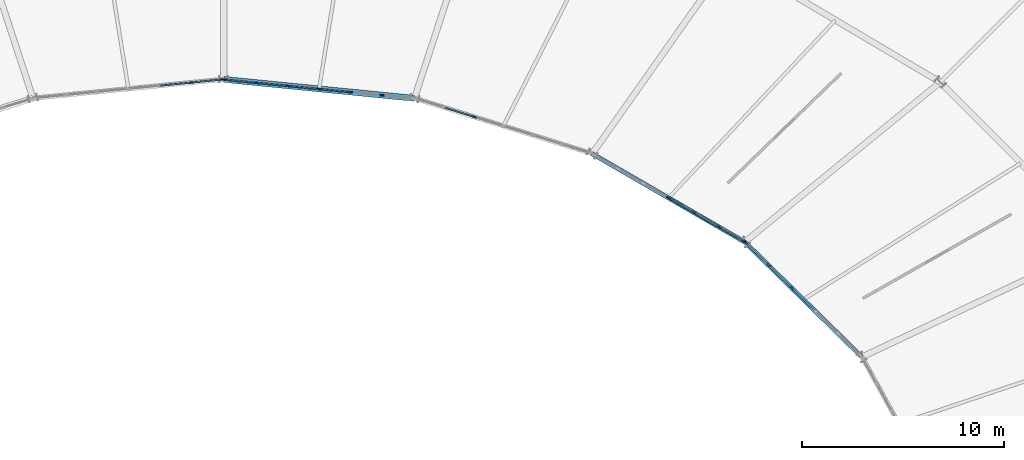
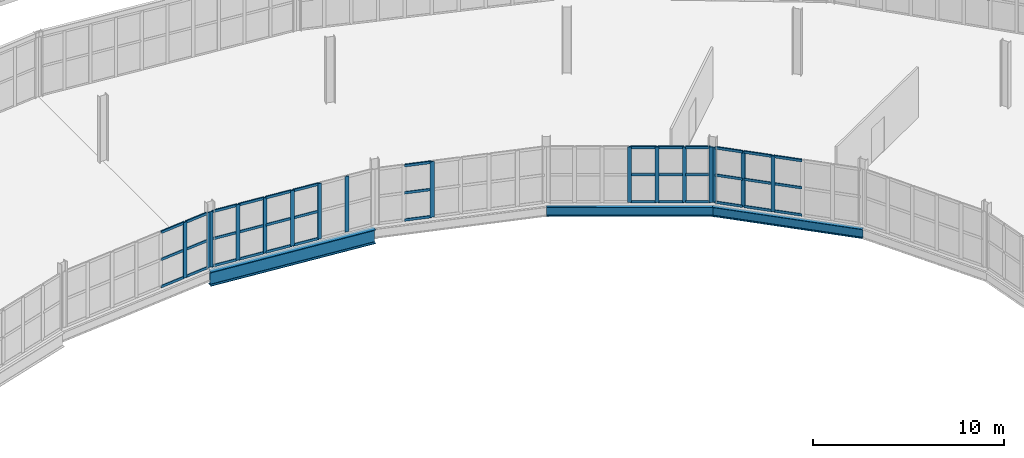
# One storey, part 68 of 161: 55 members, 3 beams, 5 elements without a shape of their own.
"""IFC4 building model written with IfcOpenShell, lengths in metres."""

from ifc_helpers import new_model, si_unit, direction, frame, origin, origin_2d, place, context, subcontext, project, spatial, rectangle, i_section, extrude, material, material_profile, profile_set, type_object, element, aggregate, save


model = new_model("IFC4")

# Units and contexts
model_context = context("Model", 3, precision=1e-05, world=origin(), true_north=direction((0.0, 1.0)))
body_context = subcontext(model_context, "Body", "Model", "MODEL_VIEW")
ifc_project = project(units=[si_unit("LENGTHUNIT", "METRE"), si_unit("AREAUNIT", "SQUARE_METRE"), si_unit("VOLUMEUNIT", "CUBIC_METRE"), si_unit("PLANEANGLEUNIT", "RADIAN"), si_unit("MASSUNIT", "GRAM", prefix="KILO")], contexts=[model_context])

# Site, building, storey
site_placement = place(None, origin())
site = spatial("IfcSite", under=ifc_project, at=site_placement, CompositionType="ELEMENT")
building_placement = place(site_placement, origin())
building = spatial("IfcBuilding", under=site, at=building_placement, Name="Kildeholm Park Wholesale Market", CompositionType="ELEMENT")
storey_placement = place(building_placement, frame((0.0, 0.0, 5.39990234375)))
storey = spatial("IfcBuildingStorey", under=building, at=storey_placement, Name="L01", CompositionType="ELEMENT", Elevation=5.39990234375)

# Beams
ifc_material_1 = material(Name="Steel S355", Category="steel")
ifc_material_profile_1 = material_profile(ifc_material_1, i_section(OverallWidth=0.300048828125, OverallDepth=0.89990234375, WebThickness=0.0185546875, FlangeThickness=0.034912109375, FilletRadius=0.030029296875, at=origin_2d()), Name="HEB 900")
ifc_profile_set_1 = profile_set([ifc_material_profile_1], Name="Steel S355")
beam_type_1 = type_object("IfcBeamType", Name="Beam B-G03 HEB 900", PredefinedType="BEAM", material=ifc_profile_set_1)
beam_1_placement = place(storey_placement, frame((108.447021484375, 116.06298828125, -0.699951171875), z_axis=(-0.995117073258, 0.098701623651, 0.0), x_axis=(-0.098701623651, -0.995117073258, 0.0)))
element("IfcBeam", 1, at=beam_1_placement, inside=storey, type_object=beam_type_1, Name="Beam BM-V1-L01-CI-05 BM-0050", PredefinedType="BEAM", context=body_context, shape_type="SweptSolid", body=[
    extrude(i_section(OverallWidth=0.300048828125, OverallDepth=0.89990234375, WebThickness=0.0185546875, FlangeThickness=0.034912109375, FilletRadius=0.030029296875, at=origin_2d()), origin(), (0.0, 0.0, 1.0), 9.493408203125),
])
ifc_material_profile_2 = material_profile(ifc_material_1, i_section(OverallWidth=0.219970703125, OverallDepth=0.60009765625, WebThickness=0.011962890625, FlangeThickness=0.01904296875, FilletRadius=0.02392578125, at=origin_2d()), Name="IPE 600")
ifc_profile_set_2 = profile_set([ifc_material_profile_2], Name="Steel S355")
beam_type_2 = type_object("IfcBeamType", Name="Beam B-P04 IPE 600", PredefinedType="BEAM", material=ifc_profile_set_2)
beam_2_placement = place(storey_placement, frame((130.610107421875, 103.25, -0.5498046875), z_axis=(-0.713593723838, 0.700559774251, 0.0), x_axis=(-0.700559774251, -0.713593723838, 0.0)))
element("IfcBeam", 2, at=beam_2_placement, inside=storey, type_object=beam_type_2, Name="Beam BM-V1-L01-CI-02 BM-0021", PredefinedType="BEAM", context=body_context, shape_type="SweptSolid", body=[
    extrude(i_section(OverallWidth=0.219970703125, OverallDepth=0.60009765625, WebThickness=0.011962890625, FlangeThickness=0.01904296875, FilletRadius=0.02392578125, at=origin_2d()), origin(), (0.0, 0.0, 1.0), 8.12939453125),
])
beam_3_placement = place(storey_placement, frame((124.80908203125, 108.945068359375, -0.5498046875), z_axis=(-0.865697347457, 0.500567780231, 0.0), x_axis=(-0.500567780231, -0.865697347457, 0.0)))
element("IfcBeam", 3, at=beam_3_placement, inside=storey, type_object=beam_type_2, Name="Beam BM-V1-L01-CI-03 BM-0031", PredefinedType="BEAM", context=body_context, shape_type="SweptSolid", body=[
    extrude(i_section(OverallWidth=0.219970703125, OverallDepth=0.60009765625, WebThickness=0.011962890625, FlangeThickness=0.01904296875, FilletRadius=0.02392578125, at=origin_2d()), origin(), (0.0, 0.0, 1.0), 8.731689453125),
])

# Curtain wall, members
ifc_material_2 = material(Name="Anodised aluminium and low-E double-glazed glass", Category="aluminium")
curtain_wall_type = type_object("IfcCurtainWallType", Name="Market hall glazed arcade stick curtain wall CW-01", PredefinedType="NOTDEFINED", material=ifc_material_2)
curtain_wall_1_placement = place(storey_placement, origin())
curtain_wall_1 = element("IfcCurtainWall", 4, at=curtain_wall_1_placement, inside=storey, type_object=curtain_wall_type, Name="Curtain wall CW-V1-IN1-02 CW-0014", PredefinedType="NOTDEFINED")
ifc_material_3 = material(Name="Anodised aluminium", Category="aluminium")
ifc_material_profile_3 = material_profile(ifc_material_3, rectangle(XDim=0.074951171875, YDim=0.219970703125, at=origin_2d()), Name="CWM 75x220")
ifc_profile_set_3 = profile_set([ifc_material_profile_3], Name="Anodised aluminium")
member_type_1 = type_object("IfcMemberType", Name="Curtain-wall mullion CWM-2 CWM 75x220", PredefinedType="MULLION", material=ifc_profile_set_3)
member_1_placement = place(storey_placement, frame((127.14013671875, 106.664306640625, 0.0), z_axis=(0.0, 0.0, 1.0), x_axis=(-0.700616534607, -0.713537995789, 0.0)))
member_1 = element("IfcMember", 5, at=member_1_placement, type_object=member_type_1, Name="CW-01 mullion 4 MEM-0734", PredefinedType="MULLION", context=body_context, shape_type="SweptSolid", body=[
    extrude(rectangle(XDim=0.074951171875, YDim=0.219970703125, at=origin_2d()), origin(), (0.0, 0.0, 1.0), 3.550048828125),
])
member_2_placement = place(storey_placement, frame((125.99169921875, 107.792236328125, 0.0), z_axis=(0.0, 0.0, 1.0), x_axis=(-0.700616534607, -0.713537995789, 0.0)))
member_2 = element("IfcMember", 6, at=member_2_placement, type_object=member_type_1, Name="CW-01 mullion 5 MEM-0735", PredefinedType="MULLION", context=body_context, shape_type="SweptSolid", body=[
    extrude(rectangle(XDim=0.074951171875, YDim=0.219970703125, at=origin_2d()), origin(), (0.0, 0.0, 1.0), 3.550048828125),
])
member_3_placement = place(storey_placement, frame((124.869873046875, 108.893798828125, 0.0), z_axis=(0.0, 0.0, 1.0), x_axis=(-0.700616534607, -0.713537995789, 0.0)))
member_3 = element("IfcMember", 7, at=member_3_placement, type_object=member_type_1, Name="CW-01 mullion 6 MEM-0736", PredefinedType="MULLION", context=body_context, shape_type="SweptSolid", body=[
    extrude(rectangle(XDim=0.074951171875, YDim=0.219970703125, at=origin_2d()), origin(), (0.0, 0.0, 1.0), 3.550048828125),
])

curtain_wall_2_placement = place(storey_placement, origin())
curtain_wall_2 = element("IfcCurtainWall", 8, at=curtain_wall_2_placement, inside=storey, type_object=curtain_wall_type, Name="Curtain wall CW-V1-IN1-03 CW-0019", PredefinedType="NOTDEFINED")
member_4_placement = place(storey_placement, frame((124.74560546875, 108.98779296875, 0.0), z_axis=(0.0, 0.0, 1.0), x_axis=(-0.500489412982, -0.865742656621, 0.0)))
member_4 = element("IfcMember", 9, at=member_4_placement, type_object=member_type_1, Name="CW-01 mullion 1 MEM-0868", PredefinedType="MULLION", context=body_context, shape_type="SweptSolid", body=[
    extrude(rectangle(XDim=0.074951171875, YDim=0.219970703125, at=origin_2d()), origin(), (0.0, 0.0, 1.0), 3.550048828125),
])
member_5_placement = place(storey_placement, frame((123.52978515625, 109.690673828125, 0.0), z_axis=(0.0, 0.0, 1.0), x_axis=(-0.500489412982, -0.865742656621, 0.0)))
member_5 = element("IfcMember", 10, at=member_5_placement, type_object=member_type_1, Name="CW-01 mullion 2 MEM-0869", PredefinedType="MULLION", context=body_context, shape_type="SweptSolid", body=[
    extrude(rectangle(XDim=0.074951171875, YDim=0.219970703125, at=origin_2d()), origin(), (0.0, 0.0, 1.0), 3.550048828125),
])
member_6_placement = place(storey_placement, frame((122.28125, 110.412353515625, 0.0), z_axis=(0.0, 0.0, 1.0), x_axis=(-0.500489412982, -0.865742656621, 0.0)))
member_6 = element("IfcMember", 11, at=member_6_placement, type_object=member_type_1, Name="CW-01 mullion 3 MEM-0870", PredefinedType="MULLION", context=body_context, shape_type="SweptSolid", body=[
    extrude(rectangle(XDim=0.074951171875, YDim=0.219970703125, at=origin_2d()), origin(), (0.0, 0.0, 1.0), 3.550048828125),
])
member_7_placement = place(storey_placement, frame((121.032958984375, 111.134033203125, 0.0), z_axis=(0.0, 0.0, 1.0), x_axis=(-0.500489412982, -0.865742656621, 0.0)))
member_7 = element("IfcMember", 12, at=member_7_placement, type_object=member_type_1, Name="CW-01 mullion 4 MEM-0871", PredefinedType="MULLION", context=body_context, shape_type="SweptSolid", body=[
    extrude(rectangle(XDim=0.074951171875, YDim=0.219970703125, at=origin_2d()), origin(), (0.0, 0.0, 1.0), 3.550048828125),
])

# Curtain wall, member
curtain_wall_3_placement = place(storey_placement, origin())
curtain_wall_3 = element("IfcCurtainWall", 13, at=curtain_wall_3_placement, inside=storey, type_object=curtain_wall_type, Name="Curtain wall CW-V1-IN1-04 CW-0024", PredefinedType="NOTDEFINED")
member_8_placement = place(storey_placement, frame((111.39599609375, 115.14697265625, 0.0), z_axis=(0.0, 0.0, 1.0), x_axis=(-0.297957339818, -0.954579186683, 0.0)))
member_8 = element("IfcMember", 14, at=member_8_placement, type_object=member_type_1, Name="CW-01 mullion 5 MEM-1021", PredefinedType="MULLION", context=body_context, shape_type="SweptSolid", body=[
    extrude(rectangle(XDim=0.074951171875, YDim=0.219970703125, at=origin_2d()), origin(), (0.0, 0.0, 1.0), 3.550048828125),
])

# Curtain wall, members
curtain_wall_4_placement = place(storey_placement, origin())
curtain_wall_4 = element("IfcCurtainWall", 15, at=curtain_wall_4_placement, inside=storey, type_object=curtain_wall_type, Name="Curtain wall CW-V1-IN1-05 CW-0028", PredefinedType="NOTDEFINED")
member_9_placement = place(storey_placement, frame((106.8466796875, 116.225830078125, 0.0), z_axis=(0.0, 0.0, 1.0), x_axis=(-0.098683331174, -0.995118887444, 0.0)))
member_9 = element("IfcMember", 16, at=member_9_placement, type_object=member_type_1, Name="CW-01 mullion 2 MEM-1146", PredefinedType="MULLION", context=body_context, shape_type="SweptSolid", body=[
    extrude(rectangle(XDim=0.074951171875, YDim=0.219970703125, at=origin_2d()), origin(), (0.0, 0.0, 1.0), 3.550048828125),
])
member_10_placement = place(storey_placement, frame((105.285400390625, 116.380615234375, 0.0), z_axis=(0.0, 0.0, 1.0), x_axis=(-0.098683331174, -0.995118887444, 0.0)))
member_10 = element("IfcMember", 17, at=member_10_placement, type_object=member_type_1, Name="CW-01 mullion 3 MEM-1147", PredefinedType="MULLION", context=body_context, shape_type="SweptSolid", body=[
    extrude(rectangle(XDim=0.074951171875, YDim=0.219970703125, at=origin_2d()), origin(), (0.0, 0.0, 1.0), 3.550048828125),
])
member_11_placement = place(storey_placement, frame((103.72412109375, 116.535400390625, 0.0), z_axis=(0.0, 0.0, 1.0), x_axis=(-0.098683331174, -0.995118887444, 0.0)))
member_11 = element("IfcMember", 18, at=member_11_placement, type_object=member_type_1, Name="CW-01 mullion 4 MEM-1148", PredefinedType="MULLION", context=body_context, shape_type="SweptSolid", body=[
    extrude(rectangle(XDim=0.074951171875, YDim=0.219970703125, at=origin_2d()), origin(), (0.0, 0.0, 1.0), 3.550048828125),
])
member_12_placement = place(storey_placement, frame((102.16259765625, 116.6904296875, 0.0), z_axis=(0.0, 0.0, 1.0), x_axis=(-0.098683331174, -0.995118887444, 0.0)))
member_12 = element("IfcMember", 19, at=member_12_placement, type_object=member_type_1, Name="CW-01 mullion 5 MEM-1149", PredefinedType="MULLION", context=body_context, shape_type="SweptSolid", body=[
    extrude(rectangle(XDim=0.074951171875, YDim=0.219970703125, at=origin_2d()), origin(), (0.0, 0.0, 1.0), 3.550048828125),
])
member_13_placement = place(storey_placement, frame((100.601318359375, 116.84521484375, 0.0), z_axis=(0.0, 0.0, 1.0), x_axis=(-0.098683331174, -0.995118887444, 0.0)))
member_13 = element("IfcMember", 20, at=member_13_placement, type_object=member_type_1, Name="CW-01 mullion 6 MEM-1150", PredefinedType="MULLION", context=body_context, shape_type="SweptSolid", body=[
    extrude(rectangle(XDim=0.074951171875, YDim=0.219970703125, at=origin_2d()), origin(), (0.0, 0.0, 1.0), 3.550048828125),
])
member_14_placement = place(storey_placement, frame((99.077392578125, 116.996337890625, 0.0), z_axis=(0.0, 0.0, 1.0), x_axis=(-0.098683331174, -0.995118887444, 0.0)))
member_14 = element("IfcMember", 21, at=member_14_placement, type_object=member_type_1, Name="CW-01 mullion 7 MEM-1151", PredefinedType="MULLION", context=body_context, shape_type="SweptSolid", body=[
    extrude(rectangle(XDim=0.074951171875, YDim=0.219970703125, at=origin_2d()), origin(), (0.0, 0.0, 1.0), 3.550048828125),
])

curtain_wall_5_placement = place(storey_placement, origin())
curtain_wall_5 = element("IfcCurtainWall", 22, at=curtain_wall_5_placement, inside=storey, type_object=curtain_wall_type, Name="Curtain wall CW-V1-IN1-06 CW-0033", PredefinedType="NOTDEFINED")
member_15_placement = place(storey_placement, frame((98.922607421875, 116.996337890625, 0.0), z_axis=(0.0, 0.0, 1.0), x_axis=(0.098683331174, -0.995118887444, 0.0)))
member_15 = element("IfcMember", 23, at=member_15_placement, type_object=member_type_1, Name="CW-01 mullion 1 MEM-1298", PredefinedType="MULLION", context=body_context, shape_type="SweptSolid", body=[
    extrude(rectangle(XDim=0.074951171875, YDim=0.219970703125, at=origin_2d()), origin(), (0.0, 0.0, 1.0), 3.550048828125),
])
member_16_placement = place(storey_placement, frame((97.398681640625, 116.84521484375, 0.0), z_axis=(0.0, 0.0, 1.0), x_axis=(0.098683331174, -0.995118887444, 0.0)))
member_16 = element("IfcMember", 24, at=member_16_placement, type_object=member_type_1, Name="CW-01 mullion 2 MEM-1299", PredefinedType="MULLION", context=body_context, shape_type="SweptSolid", body=[
    extrude(rectangle(XDim=0.074951171875, YDim=0.219970703125, at=origin_2d()), origin(), (0.0, 0.0, 1.0), 3.550048828125),
])

# Member
ifc_material_profile_4 = material_profile(ifc_material_3, rectangle(XDim=0.074951171875, YDim=0.159912109375, at=origin_2d()), Name="CWT 75x160")
ifc_profile_set_4 = profile_set([ifc_material_profile_4], Name="Anodised aluminium")
member_type_2 = type_object("IfcMemberType", Name="Curtain-wall transom CWT-2 CWT 75x160", PredefinedType="USERDEFINED", material=ifc_profile_set_4)
member_17_placement = place(storey_placement, frame((128.261962890625, 105.56298828125, 0.03759765625), z_axis=(-0.713520588004, 0.700634263003, 0.0), x_axis=(-0.700634263003, -0.713520588004, 0.0)))
member_17 = element("IfcMember", 25, at=member_17_placement, type_object=member_type_2, Name="CW-01 transom 3.1 MEM-0743", ObjectType="TRANSOM", PredefinedType="USERDEFINED", context=body_context, shape_type="SweptSolid", body=[
    extrude(rectangle(XDim=0.074951171875, YDim=0.159912109375, at=origin_2d()), origin(), (0.0, 0.0, 1.0), 1.53466796875),
])

member_18_placement = place(storey_placement, frame((128.261962890625, 105.56298828125, 1.775146484375), z_axis=(-0.713520588004, 0.700634263003, 0.0), x_axis=(-0.700634263003, -0.713520588004, 0.0)))
member_18 = element("IfcMember", 26, at=member_18_placement, type_object=member_type_2, Name="CW-01 transom 3.2 MEM-0744", ObjectType="TRANSOM", PredefinedType="USERDEFINED", context=body_context, shape_type="SweptSolid", body=[
    extrude(rectangle(XDim=0.074951171875, YDim=0.159912109375, at=origin_2d()), origin(), (0.0, 0.0, 1.0), 1.53466796875),
])

member_19_placement = place(storey_placement, frame((128.261962890625, 105.56298828125, 3.5126953125), z_axis=(-0.713520588004, 0.700634263003, 0.0), x_axis=(-0.700634263003, -0.713520588004, 0.0)))
member_19 = element("IfcMember", 27, at=member_19_placement, type_object=member_type_2, Name="CW-01 transom 3.3 MEM-0745", ObjectType="TRANSOM", PredefinedType="USERDEFINED", context=body_context, shape_type="SweptSolid", body=[
    extrude(rectangle(XDim=0.074951171875, YDim=0.159912109375, at=origin_2d()), origin(), (0.0, 0.0, 1.0), 1.53466796875),
])

member_20_placement = place(storey_placement, frame((127.113525390625, 106.690673828125, 0.03759765625), z_axis=(-0.713598670351, 0.700554735672, 0.0), x_axis=(-0.700554735672, -0.713598670351, 0.0)))
member_20 = element("IfcMember", 28, at=member_20_placement, type_object=member_type_2, Name="CW-01 transom 4.1 MEM-0746", ObjectType="TRANSOM", PredefinedType="USERDEFINED", context=body_context, shape_type="SweptSolid", body=[
    extrude(rectangle(XDim=0.074951171875, YDim=0.159912109375, at=origin_2d()), origin(), (0.0, 0.0, 1.0), 1.53466796875),
])

member_21_placement = place(storey_placement, frame((127.113525390625, 106.690673828125, 1.775146484375), z_axis=(-0.713598670351, 0.700554735672, 0.0), x_axis=(-0.700554735672, -0.713598670351, 0.0)))
member_21 = element("IfcMember", 29, at=member_21_placement, type_object=member_type_2, Name="CW-01 transom 4.2 MEM-0747", ObjectType="TRANSOM", PredefinedType="USERDEFINED", context=body_context, shape_type="SweptSolid", body=[
    extrude(rectangle(XDim=0.074951171875, YDim=0.159912109375, at=origin_2d()), origin(), (0.0, 0.0, 1.0), 1.53466796875),
])

member_22_placement = place(storey_placement, frame((127.113525390625, 106.690673828125, 3.5126953125), z_axis=(-0.713598670351, 0.700554735672, 0.0), x_axis=(-0.700554735672, -0.713598670351, 0.0)))
member_22 = element("IfcMember", 30, at=member_22_placement, type_object=member_type_2, Name="CW-01 transom 4.3 MEM-0748", ObjectType="TRANSOM", PredefinedType="USERDEFINED", context=body_context, shape_type="SweptSolid", body=[
    extrude(rectangle(XDim=0.074951171875, YDim=0.159912109375, at=origin_2d()), origin(), (0.0, 0.0, 1.0), 1.53466796875),
])

member_23_placement = place(storey_placement, frame((125.96484375, 107.818359375, 0.03759765625), z_axis=(-0.713518025391, 0.700636872739, 0.0), x_axis=(-0.700636872739, -0.713518025391, 0.0)))
member_23 = element("IfcMember", 31, at=member_23_placement, type_object=member_type_2, Name="CW-01 transom 5.1 MEM-0749", ObjectType="TRANSOM", PredefinedType="USERDEFINED", context=body_context, shape_type="SweptSolid", body=[
    extrude(rectangle(XDim=0.074951171875, YDim=0.159912109375, at=origin_2d()), origin(), (0.0, 0.0, 1.0), 1.497314453125),
])

member_24_placement = place(storey_placement, frame((125.96484375, 107.818359375, 1.775146484375), z_axis=(-0.713518025391, 0.700636872739, 0.0), x_axis=(-0.700636872739, -0.713518025391, 0.0)))
member_24 = element("IfcMember", 32, at=member_24_placement, type_object=member_type_2, Name="CW-01 transom 5.2 MEM-0750", ObjectType="TRANSOM", PredefinedType="USERDEFINED", context=body_context, shape_type="SweptSolid", body=[
    extrude(rectangle(XDim=0.074951171875, YDim=0.159912109375, at=origin_2d()), origin(), (0.0, 0.0, 1.0), 1.497314453125),
])

member_25_placement = place(storey_placement, frame((125.96484375, 107.818359375, 3.5126953125), z_axis=(-0.713518025391, 0.700636872739, 0.0), x_axis=(-0.700636872739, -0.713518025391, 0.0)))
member_25 = element("IfcMember", 33, at=member_25_placement, type_object=member_type_2, Name="CW-01 transom 5.3 MEM-0751", ObjectType="TRANSOM", PredefinedType="USERDEFINED", context=body_context, shape_type="SweptSolid", body=[
    extrude(rectangle(XDim=0.074951171875, YDim=0.159912109375, at=origin_2d()), origin(), (0.0, 0.0, 1.0), 1.497314453125),
])

aggregate(curtain_wall_1, [member_1, member_2, member_3, member_17, member_18, member_19, member_20, member_21, member_22, member_23, member_24, member_25])

member_26_placement = place(storey_placement, frame((124.713134765625, 109.006591796875, 0.03759765625), z_axis=(-0.865803200302, 0.500384670376, 0.0), x_axis=(-0.500384670376, -0.865803200302, 0.0)))
member_26 = element("IfcMember", 34, at=member_26_placement, type_object=member_type_2, Name="CW-01 transom 1.1 MEM-0875", ObjectType="TRANSOM", PredefinedType="USERDEFINED", context=body_context, shape_type="SweptSolid", body=[
    extrude(rectangle(XDim=0.074951171875, YDim=0.159912109375, at=origin_2d()), origin(), (0.0, 0.0, 1.0), 1.32958984375),
])

member_27_placement = place(storey_placement, frame((124.713134765625, 109.006591796875, 1.775146484375), z_axis=(-0.865803200302, 0.500384670376, 0.0), x_axis=(-0.500384670376, -0.865803200302, 0.0)))
member_27 = element("IfcMember", 35, at=member_27_placement, type_object=member_type_2, Name="CW-01 transom 1.2 MEM-0876", ObjectType="TRANSOM", PredefinedType="USERDEFINED", context=body_context, shape_type="SweptSolid", body=[
    extrude(rectangle(XDim=0.074951171875, YDim=0.159912109375, at=origin_2d()), origin(), (0.0, 0.0, 1.0), 1.32958984375),
])

member_28_placement = place(storey_placement, frame((124.713134765625, 109.006591796875, 3.5126953125), z_axis=(-0.865803200302, 0.500384670376, 0.0), x_axis=(-0.500384670376, -0.865803200302, 0.0)))
member_28 = element("IfcMember", 36, at=member_28_placement, type_object=member_type_2, Name="CW-01 transom 1.3 MEM-0877", ObjectType="TRANSOM", PredefinedType="USERDEFINED", context=body_context, shape_type="SweptSolid", body=[
    extrude(rectangle(XDim=0.074951171875, YDim=0.159912109375, at=origin_2d()), origin(), (0.0, 0.0, 1.0), 1.32958984375),
])

member_29_placement = place(storey_placement, frame((123.497314453125, 109.70947265625, 0.03759765625), z_axis=(-0.865792862191, 0.500402557727, 0.0), x_axis=(-0.500402557727, -0.865792862191, 0.0)))
member_29 = element("IfcMember", 37, at=member_29_placement, type_object=member_type_2, Name="CW-01 transom 2.1 MEM-0878", ObjectType="TRANSOM", PredefinedType="USERDEFINED", context=body_context, shape_type="SweptSolid", body=[
    extrude(rectangle(XDim=0.074951171875, YDim=0.159912109375, at=origin_2d()), origin(), (0.0, 0.0, 1.0), 1.366943359375),
])

member_30_placement = place(storey_placement, frame((123.497314453125, 109.70947265625, 1.775146484375), z_axis=(-0.865792862191, 0.500402557727, 0.0), x_axis=(-0.500402557727, -0.865792862191, 0.0)))
member_30 = element("IfcMember", 38, at=member_30_placement, type_object=member_type_2, Name="CW-01 transom 2.2 MEM-0879", ObjectType="TRANSOM", PredefinedType="USERDEFINED", context=body_context, shape_type="SweptSolid", body=[
    extrude(rectangle(XDim=0.074951171875, YDim=0.159912109375, at=origin_2d()), origin(), (0.0, 0.0, 1.0), 1.366943359375),
])

member_31_placement = place(storey_placement, frame((123.497314453125, 109.70947265625, 3.5126953125), z_axis=(-0.865792862191, 0.500402557727, 0.0), x_axis=(-0.500402557727, -0.865792862191, 0.0)))
member_31 = element("IfcMember", 39, at=member_31_placement, type_object=member_type_2, Name="CW-01 transom 2.3 MEM-0880", ObjectType="TRANSOM", PredefinedType="USERDEFINED", context=body_context, shape_type="SweptSolid", body=[
    extrude(rectangle(XDim=0.074951171875, YDim=0.159912109375, at=origin_2d()), origin(), (0.0, 0.0, 1.0), 1.366943359375),
])

member_32_placement = place(storey_placement, frame((122.248779296875, 110.43115234375, 0.03759765625), z_axis=(-0.865748132987, 0.500479939887, 0.0), x_axis=(-0.500479939887, -0.865748132987, 0.0)))
member_32 = element("IfcMember", 40, at=member_32_placement, type_object=member_type_2, Name="CW-01 transom 3.1 MEM-0881", ObjectType="TRANSOM", PredefinedType="USERDEFINED", context=body_context, shape_type="SweptSolid", body=[
    extrude(rectangle(XDim=0.074951171875, YDim=0.159912109375, at=origin_2d()), origin(), (0.0, 0.0, 1.0), 1.366943359375),
])

member_33_placement = place(storey_placement, frame((122.248779296875, 110.43115234375, 1.775146484375), z_axis=(-0.865748132987, 0.500479939887, 0.0), x_axis=(-0.500479939887, -0.865748132987, 0.0)))
member_33 = element("IfcMember", 41, at=member_33_placement, type_object=member_type_2, Name="CW-01 transom 3.2 MEM-0882", ObjectType="TRANSOM", PredefinedType="USERDEFINED", context=body_context, shape_type="SweptSolid", body=[
    extrude(rectangle(XDim=0.074951171875, YDim=0.159912109375, at=origin_2d()), origin(), (0.0, 0.0, 1.0), 1.366943359375),
])

member_34_placement = place(storey_placement, frame((122.248779296875, 110.43115234375, 3.5126953125), z_axis=(-0.865748132987, 0.500479939887, 0.0), x_axis=(-0.500479939887, -0.865748132987, 0.0)))
member_34 = element("IfcMember", 42, at=member_34_placement, type_object=member_type_2, Name="CW-01 transom 3.3 MEM-0883", ObjectType="TRANSOM", PredefinedType="USERDEFINED", context=body_context, shape_type="SweptSolid", body=[
    extrude(rectangle(XDim=0.074951171875, YDim=0.159912109375, at=origin_2d()), origin(), (0.0, 0.0, 1.0), 1.366943359375),
])

aggregate(curtain_wall_2, [member_4, member_5, member_6, member_7, member_26, member_27, member_28, member_29, member_30, member_31, member_32, member_33, member_34])

member_35_placement = place(storey_placement, frame((111.360107421875, 115.158203125, 0.03759765625), z_axis=(-0.954575890989, 0.297967898176, 0.0), x_axis=(-0.297967898176, -0.954575890989, 0.0)))
member_35 = element("IfcMember", 43, at=member_35_placement, type_object=member_type_2, Name="CW-01 transom 5.1 MEM-1036", ObjectType="TRANSOM", PredefinedType="USERDEFINED", context=body_context, shape_type="SweptSolid", body=[
    extrude(rectangle(XDim=0.074951171875, YDim=0.159912109375, at=origin_2d()), origin(), (0.0, 0.0, 1.0), 1.44873046875),
])

member_36_placement = place(storey_placement, frame((111.360107421875, 115.158203125, 1.775146484375), z_axis=(-0.954575890989, 0.297967898176, 0.0), x_axis=(-0.297967898176, -0.954575890989, 0.0)))
member_36 = element("IfcMember", 44, at=member_36_placement, type_object=member_type_2, Name="CW-01 transom 5.2 MEM-1037", ObjectType="TRANSOM", PredefinedType="USERDEFINED", context=body_context, shape_type="SweptSolid", body=[
    extrude(rectangle(XDim=0.074951171875, YDim=0.159912109375, at=origin_2d()), origin(), (0.0, 0.0, 1.0), 1.44873046875),
])

member_37_placement = place(storey_placement, frame((111.360107421875, 115.158203125, 3.5126953125), z_axis=(-0.954575890989, 0.297967898176, 0.0), x_axis=(-0.297967898176, -0.954575890989, 0.0)))
member_37 = element("IfcMember", 45, at=member_37_placement, type_object=member_type_2, Name="CW-01 transom 5.3 MEM-1038", ObjectType="TRANSOM", PredefinedType="USERDEFINED", context=body_context, shape_type="SweptSolid", body=[
    extrude(rectangle(XDim=0.074951171875, YDim=0.159912109375, at=origin_2d()), origin(), (0.0, 0.0, 1.0), 1.44873046875),
])

aggregate(curtain_wall_3, [member_8, member_35, member_36, member_37])

member_38_placement = place(storey_placement, frame((105.248046875, 116.38427734375, 0.03759765625), z_axis=(-0.995117753447, 0.098694765695, 0.0), x_axis=(-0.098694765695, -0.995117753447, 0.0)))
member_38 = element("IfcMember", 46, at=member_38_placement, type_object=member_type_2, Name="CW-01 transom 3.1 MEM-1158", ObjectType="TRANSOM", PredefinedType="USERDEFINED", context=body_context, shape_type="SweptSolid", body=[
    extrude(rectangle(XDim=0.074951171875, YDim=0.159912109375, at=origin_2d()), origin(), (0.0, 0.0, 1.0), 1.494140625),
])

member_39_placement = place(storey_placement, frame((105.248046875, 116.38427734375, 1.775146484375), z_axis=(-0.995117753447, 0.098694765695, 0.0), x_axis=(-0.098694765695, -0.995117753447, 0.0)))
member_39 = element("IfcMember", 47, at=member_39_placement, type_object=member_type_2, Name="CW-01 transom 3.2 MEM-1159", ObjectType="TRANSOM", PredefinedType="USERDEFINED", context=body_context, shape_type="SweptSolid", body=[
    extrude(rectangle(XDim=0.074951171875, YDim=0.159912109375, at=origin_2d()), origin(), (0.0, 0.0, 1.0), 1.494140625),
])

member_40_placement = place(storey_placement, frame((105.248046875, 116.38427734375, 3.5126953125), z_axis=(-0.995117753447, 0.098694765695, 0.0), x_axis=(-0.098694765695, -0.995117753447, 0.0)))
member_40 = element("IfcMember", 48, at=member_40_placement, type_object=member_type_2, Name="CW-01 transom 3.3 MEM-1160", ObjectType="TRANSOM", PredefinedType="USERDEFINED", context=body_context, shape_type="SweptSolid", body=[
    extrude(rectangle(XDim=0.074951171875, YDim=0.159912109375, at=origin_2d()), origin(), (0.0, 0.0, 1.0), 1.494140625),
])

member_41_placement = place(storey_placement, frame((103.686767578125, 116.539306640625, 0.03759765625), z_axis=(-0.995133788729, 0.098532951495, 0.0), x_axis=(-0.098532951495, -0.995133788729, 0.0)))
member_41 = element("IfcMember", 49, at=member_41_placement, type_object=member_type_2, Name="CW-01 transom 4.1 MEM-1161", ObjectType="TRANSOM", PredefinedType="USERDEFINED", context=body_context, shape_type="SweptSolid", body=[
    extrude(rectangle(XDim=0.074951171875, YDim=0.159912109375, at=origin_2d()), origin(), (0.0, 0.0, 1.0), 1.494140625),
])

member_42_placement = place(storey_placement, frame((103.686767578125, 116.539306640625, 1.775146484375), z_axis=(-0.995133788729, 0.098532951495, 0.0), x_axis=(-0.098532951495, -0.995133788729, 0.0)))
member_42 = element("IfcMember", 50, at=member_42_placement, type_object=member_type_2, Name="CW-01 transom 4.2 MEM-1162", ObjectType="TRANSOM", PredefinedType="USERDEFINED", context=body_context, shape_type="SweptSolid", body=[
    extrude(rectangle(XDim=0.074951171875, YDim=0.159912109375, at=origin_2d()), origin(), (0.0, 0.0, 1.0), 1.494140625),
])

member_43_placement = place(storey_placement, frame((103.686767578125, 116.539306640625, 3.5126953125), z_axis=(-0.995133788729, 0.098532951495, 0.0), x_axis=(-0.098532951495, -0.995133788729, 0.0)))
member_43 = element("IfcMember", 51, at=member_43_placement, type_object=member_type_2, Name="CW-01 transom 4.3 MEM-1163", ObjectType="TRANSOM", PredefinedType="USERDEFINED", context=body_context, shape_type="SweptSolid", body=[
    extrude(rectangle(XDim=0.074951171875, YDim=0.159912109375, at=origin_2d()), origin(), (0.0, 0.0, 1.0), 1.494140625),
])

member_44_placement = place(storey_placement, frame((102.125244140625, 116.694091796875, 0.03759765625), z_axis=(-0.995116161416, 0.098710816472, 0.0), x_axis=(-0.098710816472, -0.995116161416, 0.0)))
member_44 = element("IfcMember", 52, at=member_44_placement, type_object=member_type_2, Name="CW-01 transom 5.1 MEM-1164", ObjectType="TRANSOM", PredefinedType="USERDEFINED", context=body_context, shape_type="SweptSolid", body=[
    extrude(rectangle(XDim=0.074951171875, YDim=0.159912109375, at=origin_2d()), origin(), (0.0, 0.0, 1.0), 1.493896484375),
])

member_45_placement = place(storey_placement, frame((102.125244140625, 116.694091796875, 1.775146484375), z_axis=(-0.995116161416, 0.098710816472, 0.0), x_axis=(-0.098710816472, -0.995116161416, 0.0)))
member_45 = element("IfcMember", 53, at=member_45_placement, type_object=member_type_2, Name="CW-01 transom 5.2 MEM-1165", ObjectType="TRANSOM", PredefinedType="USERDEFINED", context=body_context, shape_type="SweptSolid", body=[
    extrude(rectangle(XDim=0.074951171875, YDim=0.159912109375, at=origin_2d()), origin(), (0.0, 0.0, 1.0), 1.493896484375),
])

member_46_placement = place(storey_placement, frame((102.125244140625, 116.694091796875, 3.5126953125), z_axis=(-0.995116161416, 0.098710816472, 0.0), x_axis=(-0.098710816472, -0.995116161416, 0.0)))
member_46 = element("IfcMember", 54, at=member_46_placement, type_object=member_type_2, Name="CW-01 transom 5.3 MEM-1166", ObjectType="TRANSOM", PredefinedType="USERDEFINED", context=body_context, shape_type="SweptSolid", body=[
    extrude(rectangle(XDim=0.074951171875, YDim=0.159912109375, at=origin_2d()), origin(), (0.0, 0.0, 1.0), 1.493896484375),
])

member_47_placement = place(storey_placement, frame((100.56396484375, 116.848876953125, 0.03759765625), z_axis=(-0.995113248343, 0.098740179123, 0.0), x_axis=(-0.098740179123, -0.995113248343, 0.0)))
member_47 = element("IfcMember", 55, at=member_47_placement, type_object=member_type_2, Name="CW-01 transom 6.1 MEM-1167", ObjectType="TRANSOM", PredefinedType="USERDEFINED", context=body_context, shape_type="SweptSolid", body=[
    extrude(rectangle(XDim=0.074951171875, YDim=0.159912109375, at=origin_2d()), origin(), (0.0, 0.0, 1.0), 1.456298828125),
])

member_48_placement = place(storey_placement, frame((100.56396484375, 116.848876953125, 1.775146484375), z_axis=(-0.995113248343, 0.098740179123, 0.0), x_axis=(-0.098740179123, -0.995113248343, 0.0)))
member_48 = element("IfcMember", 56, at=member_48_placement, type_object=member_type_2, Name="CW-01 transom 6.2 MEM-1168", ObjectType="TRANSOM", PredefinedType="USERDEFINED", context=body_context, shape_type="SweptSolid", body=[
    extrude(rectangle(XDim=0.074951171875, YDim=0.159912109375, at=origin_2d()), origin(), (0.0, 0.0, 1.0), 1.456298828125),
])

member_49_placement = place(storey_placement, frame((100.56396484375, 116.848876953125, 3.5126953125), z_axis=(-0.995113248343, 0.098740179123, 0.0), x_axis=(-0.098740179123, -0.995113248343, 0.0)))
member_49 = element("IfcMember", 57, at=member_49_placement, type_object=member_type_2, Name="CW-01 transom 6.3 MEM-1169", ObjectType="TRANSOM", PredefinedType="USERDEFINED", context=body_context, shape_type="SweptSolid", body=[
    extrude(rectangle(XDim=0.074951171875, YDim=0.159912109375, at=origin_2d()), origin(), (0.0, 0.0, 1.0), 1.456298828125),
])

aggregate(curtain_wall_4, [member_9, member_10, member_11, member_12, member_13, member_14, member_38, member_39, member_40, member_41, member_42, member_43, member_44, member_45, member_46, member_47, member_48, member_49])

member_50_placement = place(storey_placement, frame((98.88525390625, 116.99267578125, 0.03759765625), z_axis=(-0.995113248343, -0.098740179123, 0.0), x_axis=(0.098740179123, -0.995113248343, 0.0)))
member_50 = element("IfcMember", 58, at=member_50_placement, type_object=member_type_2, Name="CW-01 transom 1.1 MEM-1305", ObjectType="TRANSOM", PredefinedType="USERDEFINED", context=body_context, shape_type="SweptSolid", body=[
    extrude(rectangle(XDim=0.074951171875, YDim=0.159912109375, at=origin_2d()), origin(), (0.0, 0.0, 1.0), 1.456298828125),
])

member_51_placement = place(storey_placement, frame((98.88525390625, 116.99267578125, 1.775146484375), z_axis=(-0.995113248343, -0.098740179123, 0.0), x_axis=(0.098740179123, -0.995113248343, 0.0)))
member_51 = element("IfcMember", 59, at=member_51_placement, type_object=member_type_2, Name="CW-01 transom 1.2 MEM-1306", ObjectType="TRANSOM", PredefinedType="USERDEFINED", context=body_context, shape_type="SweptSolid", body=[
    extrude(rectangle(XDim=0.074951171875, YDim=0.159912109375, at=origin_2d()), origin(), (0.0, 0.0, 1.0), 1.456298828125),
])

member_52_placement = place(storey_placement, frame((98.88525390625, 116.99267578125, 3.5126953125), z_axis=(-0.995113248343, -0.098740179123, 0.0), x_axis=(0.098740179123, -0.995113248343, 0.0)))
member_52 = element("IfcMember", 60, at=member_52_placement, type_object=member_type_2, Name="CW-01 transom 1.3 MEM-1307", ObjectType="TRANSOM", PredefinedType="USERDEFINED", context=body_context, shape_type="SweptSolid", body=[
    extrude(rectangle(XDim=0.074951171875, YDim=0.159912109375, at=origin_2d()), origin(), (0.0, 0.0, 1.0), 1.456298828125),
])

member_53_placement = place(storey_placement, frame((97.361328125, 116.841552734375, 0.03759765625), z_axis=(-0.995116161416, -0.098710816472, 0.0), x_axis=(0.098710816472, -0.995116161416, 0.0)))
member_53 = element("IfcMember", 61, at=member_53_placement, type_object=member_type_2, Name="CW-01 transom 2.1 MEM-1308", ObjectType="TRANSOM", PredefinedType="USERDEFINED", context=body_context, shape_type="SweptSolid", body=[
    extrude(rectangle(XDim=0.074951171875, YDim=0.159912109375, at=origin_2d()), origin(), (0.0, 0.0, 1.0), 1.493896484375),
])

member_54_placement = place(storey_placement, frame((97.361328125, 116.841552734375, 1.775146484375), z_axis=(-0.995116161416, -0.098710816472, 0.0), x_axis=(0.098710816472, -0.995116161416, 0.0)))
member_54 = element("IfcMember", 62, at=member_54_placement, type_object=member_type_2, Name="CW-01 transom 2.2 MEM-1309", ObjectType="TRANSOM", PredefinedType="USERDEFINED", context=body_context, shape_type="SweptSolid", body=[
    extrude(rectangle(XDim=0.074951171875, YDim=0.159912109375, at=origin_2d()), origin(), (0.0, 0.0, 1.0), 1.493896484375),
])

member_55_placement = place(storey_placement, frame((97.361328125, 116.841552734375, 3.5126953125), z_axis=(-0.995116161416, -0.098710816472, 0.0), x_axis=(0.098710816472, -0.995116161416, 0.0)))
member_55 = element("IfcMember", 63, at=member_55_placement, type_object=member_type_2, Name="CW-01 transom 2.3 MEM-1310", ObjectType="TRANSOM", PredefinedType="USERDEFINED", context=body_context, shape_type="SweptSolid", body=[
    extrude(rectangle(XDim=0.074951171875, YDim=0.159912109375, at=origin_2d()), origin(), (0.0, 0.0, 1.0), 1.493896484375),
])

aggregate(curtain_wall_5, [member_15, member_16, member_50, member_51, member_52, member_53, member_54, member_55])

save(model, "model.ifc")
